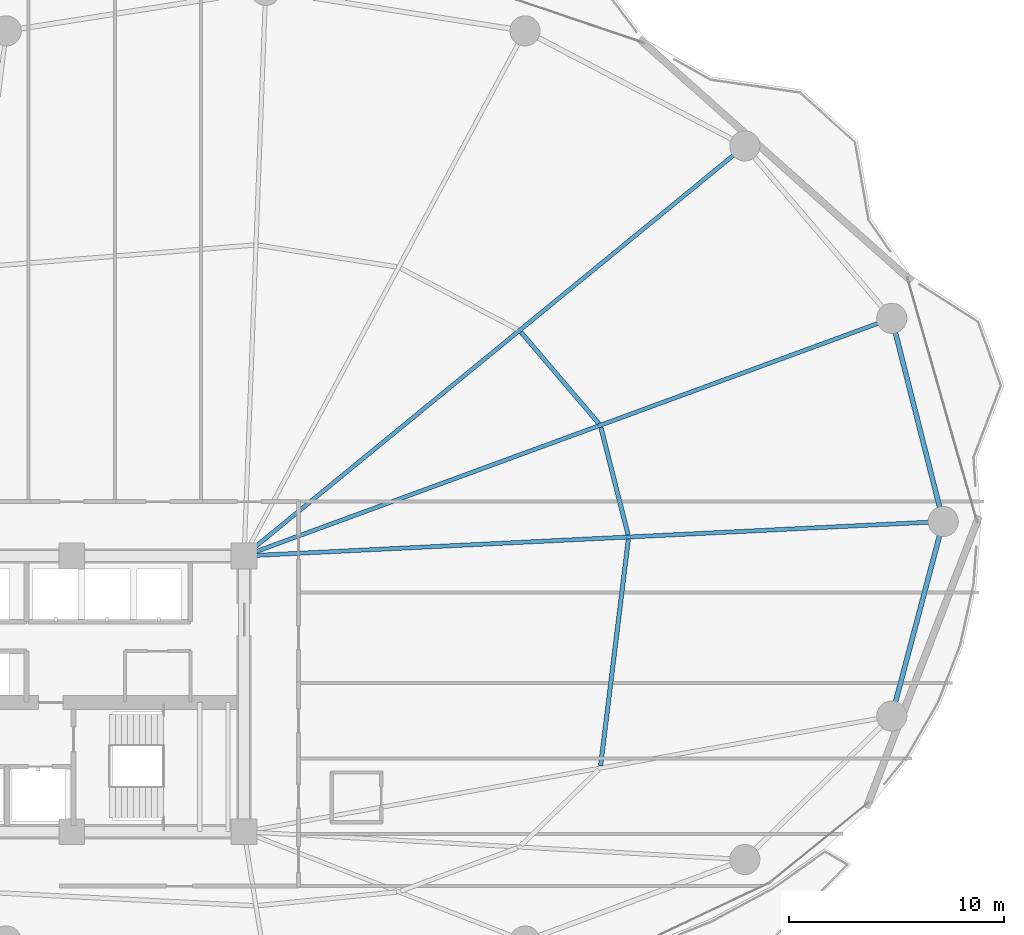
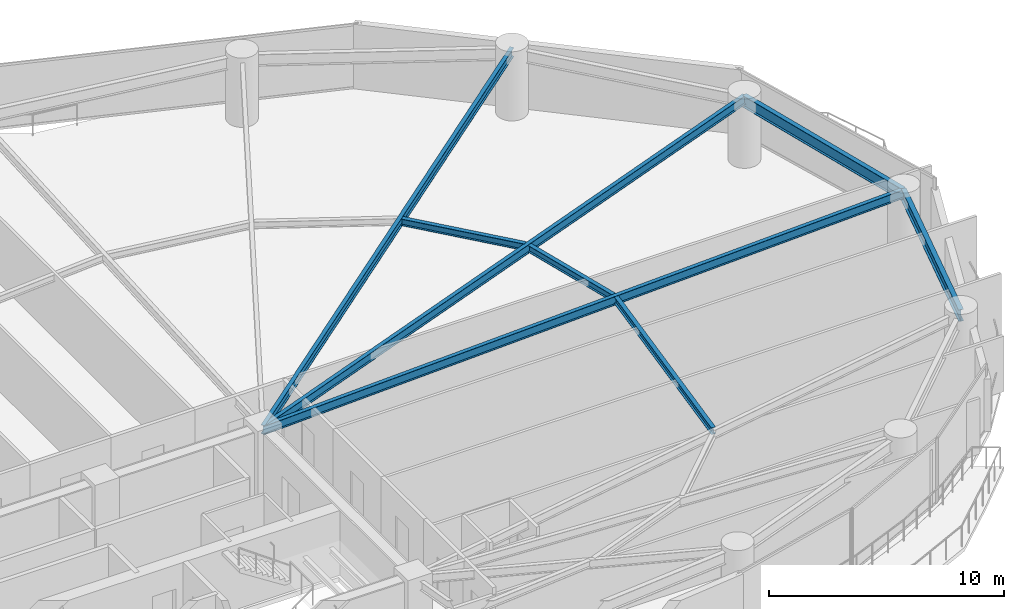
# One storey, part 16 of 31: 8 beams.
"""IFC4 building model written with IfcOpenShell, lengths in metres."""

from ifc_helpers import new_model, si_unit, direction, frame, origin, origin_2d, place, context, subcontext, project, spatial, i_section, extrude, material, material_profile, profile_set, type_object, element, save


model = new_model("IFC4")

# Units and contexts
model_context = context("Model", 3, precision=1e-05, world=origin(), true_north=direction((0.0, 1.0)))
body_context = subcontext(model_context, "Body", "Model", "MODEL_VIEW")
ifc_project = project(units=[si_unit("LENGTHUNIT", "METRE"), si_unit("AREAUNIT", "SQUARE_METRE"), si_unit("VOLUMEUNIT", "CUBIC_METRE"), si_unit("PLANEANGLEUNIT", "RADIAN"), si_unit("MASSUNIT", "GRAM", prefix="KILO")], contexts=[model_context])

# Site, building, storey
site_placement = place(None, origin())
site = spatial("IfcSite", under=ifc_project, at=site_placement, CompositionType="ELEMENT")
building_placement = place(site_placement, origin())
building = spatial("IfcBuilding", under=site, at=building_placement, Name="Kazevale Care Tower and Concert Hall", CompositionType="ELEMENT")
storey_placement = place(building_placement, frame((0.0, 0.0, 81.60009765625)))
storey = spatial("IfcBuildingStorey", under=building, at=storey_placement, Name="L21", CompositionType="ELEMENT", Elevation=81.60009765625)

# Beams
ifc_material = material(Name="Steel ASTM A572 Gr 50", Category="steel")
ifc_material_profile_1 = material_profile(ifc_material, i_section(OverallWidth=0.19091796875, OverallDepth=0.4599609375, WebThickness=0.010009765625, FlangeThickness=0.01611328125, at=origin_2d()), Name="W460x82")
ifc_profile_set_1 = profile_set([ifc_material_profile_1], Name="Steel ASTM A572 Gr 50")
beam_type_1 = type_object("IfcBeamType", Name="Radial Floor Beam W460x82", PredefinedType="BEAM", material=ifc_profile_set_1)
beam_1_placement = place(storey_placement, frame((44.0, 36.39990234375, 3.1298828125), z_axis=(0.998786488782, 0.049249871327, 0.0), x_axis=(-0.049249871327, 0.998786488782, 0.0)))
element("IfcBeam", 1, at=beam_1_placement, inside=storey, type_object=beam_type_1, Name="beam:L21:rad:01", PredefinedType="BEAM", context=body_context, shape_type="SweptSolid", body=[
    extrude(i_section(OverallWidth=0.19091796875, OverallDepth=0.4599609375, WebThickness=0.010009765625, FlangeThickness=0.01611328125, at=origin_2d()), origin(), (0.0, 0.0, 1.0), 32.4892578125),
])
beam_2_placement = place(storey_placement, frame((44.0, 36.39990234375, 3.1298828125), z_axis=(0.938795458019, 0.34447509054, 0.0), x_axis=(-0.34447509054, 0.938795458019, 0.0)))
element("IfcBeam", 2, at=beam_2_placement, inside=storey, type_object=beam_type_1, Name="beam:L21:rad:02", PredefinedType="BEAM", context=body_context, shape_type="SweptSolid", body=[
    extrude(i_section(OverallWidth=0.19091796875, OverallDepth=0.4599609375, WebThickness=0.010009765625, FlangeThickness=0.01611328125, at=origin_2d()), origin(), (0.0, 0.0, 1.0), 32.019775390625),
])
beam_3_placement = place(storey_placement, frame((44.0, 36.39990234375, 3.1298828125), z_axis=(0.773704467398, 0.633546681097, 0.0), x_axis=(-0.633546681097, 0.773704467398, 0.0)))
element("IfcBeam", 3, at=beam_3_placement, inside=storey, type_object=beam_type_1, Name="beam:L21:rad:03", PredefinedType="BEAM", context=body_context, shape_type="SweptSolid", body=[
    extrude(i_section(OverallWidth=0.19091796875, OverallDepth=0.4599609375, WebThickness=0.010009765625, FlangeThickness=0.01611328125, at=origin_2d()), origin(), (0.0, 0.0, 1.0), 30.037353515625),
])
ifc_material_profile_2 = material_profile(ifc_material, i_section(OverallWidth=0.22900390625, OverallDepth=0.612060546875, WebThickness=0.011962890625, FlangeThickness=0.01953125, at=origin_2d()), Name="W610x125")
ifc_profile_set_2 = profile_set([ifc_material_profile_2], Name="Steel ASTM A572 Gr 50")
beam_type_2 = type_object("IfcBeamType", Name="Ring Spandrel Beam W610x125", PredefinedType="SPANDREL", material=ifc_profile_set_2)
beam_4_placement = place(storey_placement, frame((76.449951171875, 38.0, 3.053955078125), z_axis=(-0.245669948409, 0.969353535326, 0.0), x_axis=(-0.969353535326, -0.245669948409, 0.0)))
element("IfcBeam", 4, at=beam_4_placement, inside=storey, type_object=beam_type_2, Name="beam:L21:ring:01", PredefinedType="SPANDREL", context=body_context, shape_type="SweptSolid", body=[
    extrude(i_section(OverallWidth=0.22900390625, OverallDepth=0.612060546875, WebThickness=0.011962890625, FlangeThickness=0.01953125, at=origin_2d()), origin(), (0.0, 0.0, 1.0), 9.72802734375),
])
beam_5_placement = place(storey_placement, frame((74.06005859375, 28.969970703125, 3.053955078125), z_axis=(0.255851611973, 0.966716066201, 0.0), x_axis=(-0.966716066201, 0.255851611973, 0.0)))
element("IfcBeam", 5, at=beam_5_placement, inside=storey, type_object=beam_type_2, Name="beam:L21:ring:16", PredefinedType="SPANDREL", context=body_context, shape_type="SweptSolid", body=[
    extrude(i_section(OverallWidth=0.22900390625, OverallDepth=0.612060546875, WebThickness=0.011962890625, FlangeThickness=0.01953125, at=origin_2d()), origin(), (0.0, 0.0, 1.0), 9.3408203125),
])
ifc_material_profile_3 = material_profile(ifc_material, i_section(OverallWidth=0.205078125, OverallDepth=0.35400390625, WebThickness=0.009521484375, FlangeThickness=0.016845703125, at=origin_2d()), Name="W360x79")
ifc_profile_set_3 = profile_set([ifc_material_profile_3], Name="Steel ASTM A572 Gr 50")
beam_type_3 = type_object("IfcBeamType", Name="Secondary Floor Joist W360x79", PredefinedType="JOIST", material=ifc_profile_set_3)
beam_6_placement = place(storey_placement, frame((61.822021484375, 37.382080078125, 3.182861328125), z_axis=(-0.24568570229, 0.969349542575, 0.0), x_axis=(-0.969349542575, -0.24568570229, 0.0)))
element("IfcBeam", 6, at=beam_6_placement, inside=storey, type_object=beam_type_3, Name="beam:L21:joist:01", PredefinedType="JOIST", context=body_context, shape_type="SweptSolid", body=[
    extrude(i_section(OverallWidth=0.205078125, OverallDepth=0.35400390625, WebThickness=0.009521484375, FlangeThickness=0.016845703125, at=origin_2d()), origin(), (0.0, 0.0, 1.0), 5.140380859375),
])
beam_7_placement = place(storey_placement, frame((60.465087890625, 42.5458984375, 3.182861328125), z_axis=(-0.648685510477, 0.761056573783, 0.0), x_axis=(-0.761056573783, -0.648685510477, 0.0)))
element("IfcBeam", 7, at=beam_7_placement, inside=storey, type_object=beam_type_3, Name="beam:L21:joist:02", PredefinedType="JOIST", context=body_context, shape_type="SweptSolid", body=[
    extrude(i_section(OverallWidth=0.205078125, OverallDepth=0.35400390625, WebThickness=0.009521484375, FlangeThickness=0.016845703125, at=origin_2d()), origin(), (0.0, 0.0, 1.0), 5.57275390625),
])
beam_8_placement = place(storey_placement, frame((60.5458984375, 26.657958984375, 3.182861328125), z_axis=(0.1216468088, 0.992573450133, 0.0), x_axis=(-0.992573450133, 0.1216468088, 0.0)))
element("IfcBeam", 8, at=beam_8_placement, inside=storey, type_object=beam_type_3, Name="beam:L21:joist:16", PredefinedType="JOIST", context=body_context, shape_type="SweptSolid", body=[
    extrude(i_section(OverallWidth=0.205078125, OverallDepth=0.35400390625, WebThickness=0.009521484375, FlangeThickness=0.016845703125, at=origin_2d()), origin(), (0.0, 0.0, 1.0), 10.5966796875),
])

save(model, "model.ifc")
